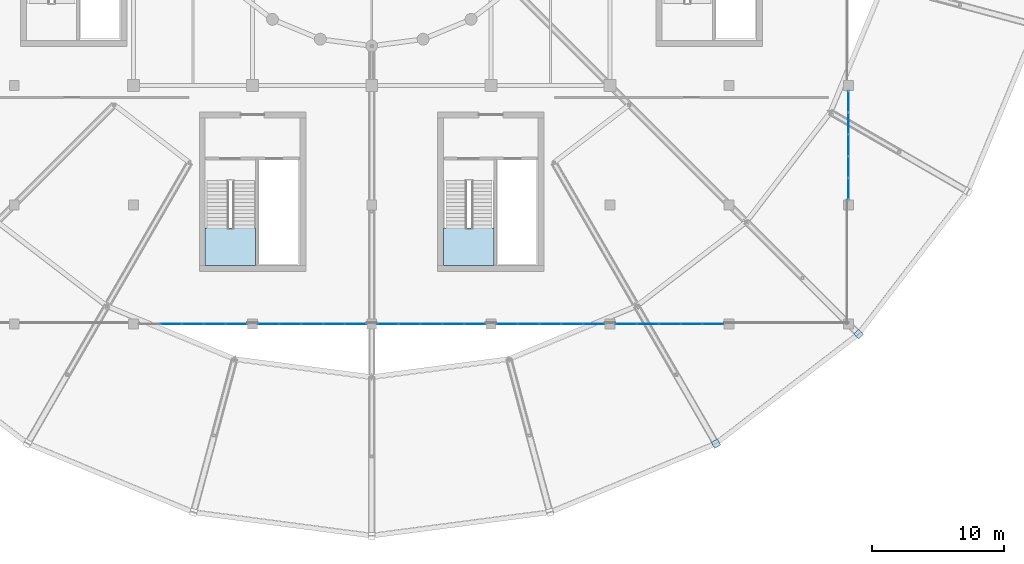
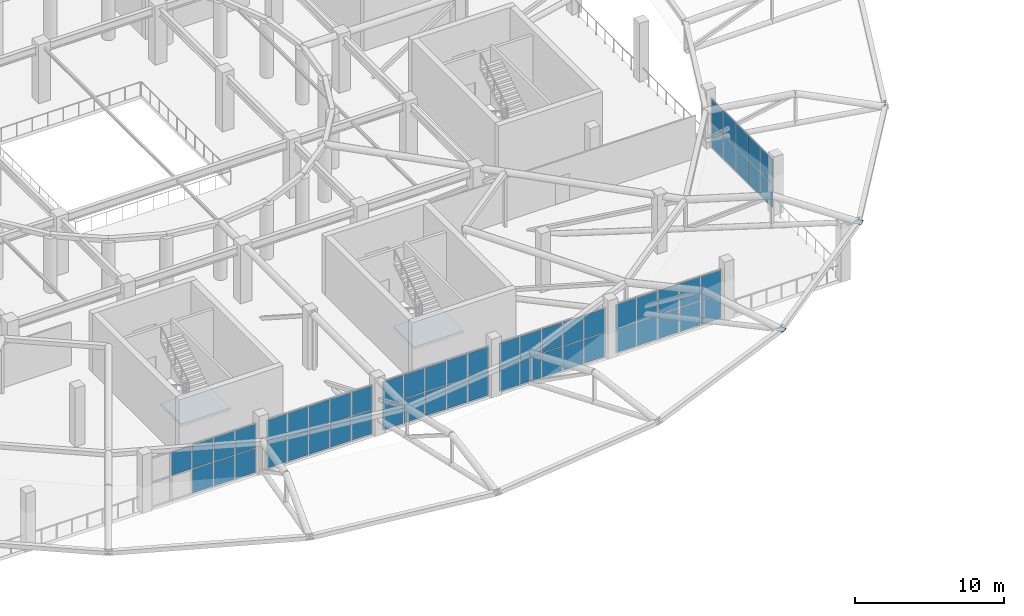
# One storey, part 119 of 167: 59 plates, 2 slabs, 8 elements without a shape of their own.
"""IFC4 building model written with IfcOpenShell, lengths in metres."""

import ifcopenshell
import ifcopenshell.guid

model = None  # the IFC model being written
_history = None  # IfcOwnerHistory: only IFC2X3 demands one
_inside = {}  # id of a spatial element -> (the spatial element, [elements in it])
_under = {}  # id of a project, library or spatial element -> (it, [spatial elements below it])
_declared = {}  # id of a project -> (the project, [libraries it declares])
_typed = {}  # id of a type object -> (the type object, [elements of that type])
_made_of = {}  # id of a material, layer set ... -> (it, [elements and type objects made of it])


def new_model(schema):
    """Start an empty IFC model of exactly this schema.

    Asked for "IFC4X3", IfcOpenShell would pick the latest addendum, in which some entities
    have other attributes; the version numbers below select the first issue.
    IFC2X3 requires an IfcOwnerHistory on every rooted entity: one is made here for all.
    """
    global model, _history
    if schema == "IFC4X3":
        model = ifcopenshell.file(schema_version=(4, 3, 0, 0))
    else:
        model = ifcopenshell.file(schema=schema)
    _inside.clear()
    _under.clear()
    _declared.clear()
    _typed.clear()
    _made_of.clear()
    _history = None
    if model.schema == "IFC2X3":
        org = make("IfcOrganization", Name="unknown")
        user = make(
            "IfcPersonAndOrganization",
            ThePerson=make("IfcPerson", FamilyName="unknown"),
            TheOrganization=org,
        )
        app = make(
            "IfcApplication",
            ApplicationDeveloper=org,
            Version="unknown",
            ApplicationFullName="unknown",
            ApplicationIdentifier="unknown",
        )
        _history = make(
            "IfcOwnerHistory",
            OwningUser=user,
            OwningApplication=app,
            ChangeAction="ADDED",
            CreationDate=0,
        )
    return model


def make(cls, **values):
    """One entity of the class cls with the attributes given. An attribute that is None is left unset."""
    return model.create_entity(
        cls, **{name: value for name, value in values.items() if value is not None}
    )


def rooted(cls, **values):
    """An entity with a GlobalId (a new one), such as an element, a storey or a relation."""
    return make(cls, GlobalId=ifcopenshell.guid.new(), OwnerHistory=_history, **values)


def si_unit(unit_type, name, prefix=None):
    """IfcSIUnit, for example si_unit("LENGTHUNIT", "METRE", prefix="MILLI")."""
    return make("IfcSIUnit", UnitType=unit_type, Prefix=prefix, Name=name)


def assignment(units):
    """IfcUnitAssignment: the units of a project."""
    return None if units is None else make("IfcUnitAssignment", Units=units)


def point(xyz):
    """IfcCartesianPoint."""
    return None if xyz is None else make("IfcCartesianPoint", Coordinates=xyz)


def direction(xyz):
    """IfcDirection."""
    return None if xyz is None else make("IfcDirection", DirectionRatios=xyz)


def frame(location, z_axis=None, x_axis=None):
    """IfcAxis2Placement3D, a coordinate frame: its origin and axes. An axis left out is left unset."""
    return make(
        "IfcAxis2Placement3D",
        Location=point(location),
        Axis=direction(z_axis),
        RefDirection=direction(x_axis),
    )


def frame_2d(location, x_axis=None):
    """IfcAxis2Placement2D, a coordinate frame in the plane: its origin and x axis."""
    return make(
        "IfcAxis2Placement2D", Location=point(location), RefDirection=direction(x_axis)
    )


def origin():
    """The frame at (0, 0, 0) with its axes left unset."""
    return frame((0.0, 0.0, 0.0))


def origin_2d():
    """The frame at (0, 0) in the plane with its x axis left unset."""
    return frame_2d((0.0, 0.0))


def place(relative_to, where):
    """IfcLocalPlacement: puts the frame where relative to a parent placement (None: the world)."""
    return make(
        "IfcLocalPlacement", PlacementRelTo=relative_to, RelativePlacement=where
    )


def context(
    kind, dimensions, precision=None, world=None, true_north=None, identifier=None
):
    """IfcGeometricRepresentationContext, for example the 3D "Model" context."""
    return make(
        "IfcGeometricRepresentationContext",
        ContextIdentifier=identifier,
        ContextType=kind,
        CoordinateSpaceDimension=dimensions,
        Precision=precision,
        WorldCoordinateSystem=world,
        TrueNorth=true_north,
    )


def subcontext(parent, identifier, kind, view, scale=None):
    """IfcGeometricRepresentationSubContext, for example "Body" below "Model"."""
    return make(
        "IfcGeometricRepresentationSubContext",
        ContextIdentifier=identifier,
        ContextType=kind,
        ParentContext=parent,
        TargetScale=scale,
        TargetView=view,
    )


def project(units=None, contexts=None):
    """IfcProject with its units and contexts."""
    return rooted(
        "IfcProject",
        Name="project",
        RepresentationContexts=contexts,
        UnitsInContext=assignment(units),
    )


def spatial(cls, under=None, at=None, **own):
    """A site, building, storey or space (cls), placed at a placement, below another one or the project."""
    s = rooted(cls, ObjectPlacement=at, **own)
    if under is not None:
        _under.setdefault(under.id(), (under, []))[1].append(s)
    return s


def polyline(points):
    """IfcPolyline through the points."""
    return make("IfcPolyline", Points=[point(p) for p in points])


def profile(cls, at=None, kind="AREA", **sizes):
    """A parametric profile (cls). Its sizes go by their IFC names, for example OverallWidth=200.0."""
    return make(cls, ProfileType=kind, Position=at, **sizes)


def rectangle(**sizes):
    """IfcRectangleProfileDef."""
    return profile("IfcRectangleProfileDef", **sizes)


def outline(outer, holes=None, kind="AREA"):
    """IfcArbitraryClosedProfileDef: a profile drawn as a closed curve; with holes, ...WithVoids."""
    if holes is None:
        return make("IfcArbitraryClosedProfileDef", ProfileType=kind, OuterCurve=outer)
    return make(
        "IfcArbitraryProfileDefWithVoids",
        ProfileType=kind,
        OuterCurve=outer,
        InnerCurves=holes,
    )


def extrude(swept, where, along, depth):
    """IfcExtrudedAreaSolid: the profile swept, set in the frame where, extruded along a direction by depth."""
    return make(
        "IfcExtrudedAreaSolid",
        SweptArea=swept,
        Position=where,
        ExtrudedDirection=direction(along),
        Depth=depth,
    )


def shape(context_of_items, identifier, shape_type, items):
    """IfcShapeRepresentation: the items that make up one representation, for example the "Body"."""
    return make(
        "IfcShapeRepresentation",
        ContextOfItems=context_of_items,
        RepresentationIdentifier=identifier,
        RepresentationType=shape_type,
        Items=items,
    )


def material(Name=None, Category=None):
    """IfcMaterial."""
    return make("IfcMaterial", Name=Name, Category=Category)


def layer(
    of_material, thickness, ventilated=None, Name=None, Category=None, Priority=None
):
    """IfcMaterialLayer: one layer of a wall or slab, of a material (None: an air gap)."""
    return make(
        "IfcMaterialLayer",
        Material=of_material,
        LayerThickness=thickness,
        IsVentilated=ventilated,
        Name=Name,
        Category=Category,
        Priority=Priority,
    )


def layer_set(layers, Name=None):
    """IfcMaterialLayerSet."""
    return make("IfcMaterialLayerSet", MaterialLayers=layers, LayerSetName=Name)


def made_of(thing, what):
    """Note that an element or type object is made of a material, layer set ...; save() writes the relation."""
    if what is not None:
        _made_of.setdefault(what.id(), (what, []))[1].append(thing)
    return thing


def type_object(cls, material=None, **own):
    """A type object (cls), such as IfcWallType, which elements share."""
    return made_of(rooted(cls, **own), material)


def element(
    cls,
    number,
    at=None,
    inside=None,
    cuts=None,
    type_object=None,
    material=None,
    context=None,
    identifier="Body",
    shape_type=None,
    held_by="IfcProductDefinitionShape",
    body=None,
    shapes=None,
    **own,
):
    """One element of the class cls, such as IfcWall. Its Tag is "e" and its number.

    at: its placement. inside: the storey or other place that contains it. cuts: it is an
    opening in that element (IfcRelVoidsElement). A single representation is given by context,
    identifier, shape_type and body (its items); several are given by shapes. held_by: the class
    of the entity that holds the representations. save() writes the other relations.
    """
    e = rooted(cls, Tag="e%d" % number, ObjectPlacement=at, **own)
    if body is not None:
        shapes = [shape(context, identifier, shape_type, body)]
    if shapes is not None:
        e.Representation = make(held_by, Representations=shapes)
    if inside is not None:
        _inside.setdefault(inside.id(), (inside, []))[1].append(e)
    if cuts is not None:
        rooted(
            "IfcRelVoidsElement", RelatingBuildingElement=cuts, RelatedOpeningElement=e
        )
    if type_object is not None:
        _typed.setdefault(type_object.id(), (type_object, []))[1].append(e)
    return made_of(e, material)


def aggregate(whole, parts):
    """IfcRelAggregates: a whole, such as a stair, and the parts it consists of."""
    return rooted("IfcRelAggregates", RelatingObject=whole, RelatedObjects=parts)


def save(model, path):
    """Write the relations noted so far, then the file.

    IfcRelAggregates (storeys below a building ...), IfcRelContainedInSpatialStructure (elements
    in a storey), IfcRelDefinesByType, IfcRelAssociatesMaterial and IfcRelDeclares: one each for
    every whole, place, type object, material and project.
    """
    for whole, parts in _under.values():
        aggregate(whole, parts)
    for where, things in _inside.values():
        rooted(
            "IfcRelContainedInSpatialStructure",
            RelatedElements=things,
            RelatingStructure=where,
        )
    for kind, things in _typed.values():
        rooted("IfcRelDefinesByType", RelatedObjects=things, RelatingType=kind)
    for what, things in _made_of.values():
        rooted("IfcRelAssociatesMaterial", RelatedObjects=things, RelatingMaterial=what)
    for by, libraries in _declared.values():
        rooted("IfcRelDeclares", RelatingContext=by, RelatedDefinitions=libraries)
    model.write(path)


model = new_model("IFC4")

# Units and contexts
model_context = context("Model", 3, precision=1e-05, world=origin(), true_north=direction((0.0, 1.0)))
body_context = subcontext(model_context, "Body", "Model", "MODEL_VIEW")
ifc_project = project(units=[si_unit("LENGTHUNIT", "METRE"), si_unit("AREAUNIT", "SQUARE_METRE"), si_unit("VOLUMEUNIT", "CUBIC_METRE"), si_unit("PLANEANGLEUNIT", "RADIAN"), si_unit("MASSUNIT", "GRAM", prefix="KILO")], contexts=[model_context])

# Site, building, storey
site_placement = place(None, origin())
site = spatial("IfcSite", under=ifc_project, at=site_placement, CompositionType="ELEMENT")
building_placement = place(site_placement, origin())
building = spatial("IfcBuilding", under=site, at=building_placement, Name="Dornveld Trade and Exhibition Forum", CompositionType="ELEMENT")
storey_placement = place(building_placement, frame((0.0, 0.0, 16.800048828125)))
storey = spatial("IfcBuildingStorey", under=building, at=storey_placement, Name="L03", CompositionType="ELEMENT", Elevation=16.800048828125)

# Curtain wall, plates
ifc_material_1 = material(Name="Dark-bronze anodised aluminium and low-E glass", Category="aluminium")
ifc_layer_1 = layer(ifc_material_1, 0.15087890625)
ifc_layer_set_1 = layer_set([ifc_layer_1], Name="Dark-bronze anodised aluminium and low-E glass")
curtain_wall_type_1 = type_object("IfcCurtainWallType", Name="CW-SYS-03", PredefinedType="USERDEFINED", material=ifc_layer_set_1)
curtain_wall_1_placement = place(storey_placement, origin())
curtain_wall_1 = element("IfcCurtainWall", 1, at=curtain_wall_1_placement, inside=storey, type_object=curtain_wall_type_1, Name="L03 unitised curtain wall 57", ObjectType="UNITISED_CURTAIN_WALL", PredefinedType="USERDEFINED")
ifc_material_2 = material(Name="Double-glazed low-E solar control glass", Category="glass")
ifc_layer_2 = layer(ifc_material_2, 0.02587890625)
ifc_layer_set_2 = layer_set([ifc_layer_2], Name="Double-glazed low-E solar control glass")
plate_type_1 = type_object("IfcPlateType", Name="CW-PNL-01", PredefinedType="CURTAIN_PANEL", material=ifc_layer_set_2)
plate_1_placement = place(storey_placement, frame((136.2119140625, 45.0, 0.055908203125), z_axis=(0.0, 0.0, 1.0), x_axis=(1.0, 0.0, 0.0)))
plate_1 = element("IfcPlate", 2, at=plate_1_placement, type_object=plate_type_1, Name="CW-03 panel 1.1", PredefinedType="CURTAIN_PANEL", context=body_context, shape_type="SweptSolid", body=[
    extrude(rectangle(XDim=1.5615234375, YDim=0.02587890625, at=origin_2d()), origin(), (0.0, 0.0, 1.0), 1.94189453125),
])
plate_2_placement = place(storey_placement, frame((136.2119140625, 45.0, 2.05810546875), z_axis=(0.0, 0.0, 1.0), x_axis=(1.0, 0.0, 0.0)))
plate_2 = element("IfcPlate", 3, at=plate_2_placement, type_object=plate_type_1, Name="CW-03 panel 1.2", PredefinedType="CURTAIN_PANEL", context=body_context, shape_type="SweptSolid", body=[
    extrude(rectangle(XDim=1.5615234375, YDim=0.02587890625, at=origin_2d()), origin(), (0.0, 0.0, 1.0), 1.94189453125),
])
plate_3_placement = place(storey_placement, frame((137.848388671875, 45.0, 0.055908203125), z_axis=(0.0, 0.0, 1.0), x_axis=(1.0, 0.0, 0.0)))
plate_3 = element("IfcPlate", 4, at=plate_3_placement, type_object=plate_type_1, Name="CW-03 panel 2.1", PredefinedType="CURTAIN_PANEL", context=body_context, shape_type="SweptSolid", body=[
    extrude(rectangle(XDim=1.591552734375, YDim=0.02587890625, at=origin_2d()), origin(), (0.0, 0.0, 1.0), 1.94189453125),
])
plate_4_placement = place(storey_placement, frame((137.848388671875, 45.0, 2.05810546875), z_axis=(0.0, 0.0, 1.0), x_axis=(1.0, 0.0, 0.0)))
plate_4 = element("IfcPlate", 5, at=plate_4_placement, type_object=plate_type_1, Name="CW-03 panel 2.2", PredefinedType="CURTAIN_PANEL", context=body_context, shape_type="SweptSolid", body=[
    extrude(rectangle(XDim=1.591552734375, YDim=0.02587890625, at=origin_2d()), origin(), (0.0, 0.0, 1.0), 1.94189453125),
])
plate_5_placement = place(storey_placement, frame((139.5, 45.0, 0.055908203125), z_axis=(0.0, 0.0, 1.0), x_axis=(1.0, 0.0, 0.0)))
plate_5 = element("IfcPlate", 6, at=plate_5_placement, type_object=plate_type_1, Name="CW-03 panel 3.1", PredefinedType="CURTAIN_PANEL", context=body_context, shape_type="SweptSolid", body=[
    extrude(rectangle(XDim=1.591552734375, YDim=0.02587890625, at=origin_2d()), origin(), (0.0, 0.0, 1.0), 1.94189453125),
])
plate_6_placement = place(storey_placement, frame((139.5, 45.0, 2.05810546875), z_axis=(0.0, 0.0, 1.0), x_axis=(1.0, 0.0, 0.0)))
plate_6 = element("IfcPlate", 7, at=plate_6_placement, type_object=plate_type_1, Name="CW-03 panel 3.2", PredefinedType="CURTAIN_PANEL", context=body_context, shape_type="SweptSolid", body=[
    extrude(rectangle(XDim=1.591552734375, YDim=0.02587890625, at=origin_2d()), origin(), (0.0, 0.0, 1.0), 1.94189453125),
])
plate_7_placement = place(storey_placement, frame((141.151611328125, 45.0, 0.055908203125), z_axis=(0.0, 0.0, 1.0), x_axis=(1.0, 0.0, 0.0)))
plate_7 = element("IfcPlate", 8, at=plate_7_placement, type_object=plate_type_1, Name="CW-03 panel 4.1", PredefinedType="CURTAIN_PANEL", context=body_context, shape_type="SweptSolid", body=[
    extrude(rectangle(XDim=1.591552734375, YDim=0.02587890625, at=origin_2d()), origin(), (0.0, 0.0, 1.0), 1.94189453125),
])
plate_8_placement = place(storey_placement, frame((141.151611328125, 45.0, 2.05810546875), z_axis=(0.0, 0.0, 1.0), x_axis=(1.0, 0.0, 0.0)))
plate_8 = element("IfcPlate", 9, at=plate_8_placement, type_object=plate_type_1, Name="CW-03 panel 4.2", PredefinedType="CURTAIN_PANEL", context=body_context, shape_type="SweptSolid", body=[
    extrude(rectangle(XDim=1.591552734375, YDim=0.02587890625, at=origin_2d()), origin(), (0.0, 0.0, 1.0), 1.94189453125),
])
plate_9_placement = place(storey_placement, frame((142.7880859375, 45.0, 0.055908203125), z_axis=(0.0, 0.0, 1.0), x_axis=(1.0, 0.0, 0.0)))
plate_9 = element("IfcPlate", 10, at=plate_9_placement, type_object=plate_type_1, Name="CW-03 panel 5.1", PredefinedType="CURTAIN_PANEL", context=body_context, shape_type="SweptSolid", body=[
    extrude(rectangle(XDim=1.5615234375, YDim=0.02587890625, at=origin_2d()), origin(), (0.0, 0.0, 1.0), 1.94189453125),
])
plate_10_placement = place(storey_placement, frame((142.7880859375, 45.0, 2.05810546875), z_axis=(0.0, 0.0, 1.0), x_axis=(1.0, 0.0, 0.0)))
plate_10 = element("IfcPlate", 11, at=plate_10_placement, type_object=plate_type_1, Name="CW-03 panel 5.2", PredefinedType="CURTAIN_PANEL", context=body_context, shape_type="SweptSolid", body=[
    extrude(rectangle(XDim=1.5615234375, YDim=0.02587890625, at=origin_2d()), origin(), (0.0, 0.0, 1.0), 1.94189453125),
])
aggregate(curtain_wall_1, [plate_1, plate_2, plate_3, plate_4, plate_5, plate_6, plate_7, plate_8, plate_9, plate_10])

ifc_material_3 = material(Name="Dark-bronze anodised aluminium and low-E glass", Category="aluminium")
ifc_layer_3 = layer(ifc_material_3, 0.193115234375)
ifc_layer_set_3 = layer_set([ifc_layer_3], Name="Dark-bronze anodised aluminium and low-E glass")
curtain_wall_type_2 = type_object("IfcCurtainWallType", Name="CW-SYS-17", PredefinedType="USERDEFINED", material=ifc_layer_set_3)
curtain_wall_2_placement = place(storey_placement, origin())
curtain_wall_2 = element("IfcCurtainWall", 12, at=curtain_wall_2_placement, inside=storey, type_object=curtain_wall_type_2, Name="L03 unitised curtain wall 53", ObjectType="UNITISED_CURTAIN_WALL", PredefinedType="USERDEFINED")
ifc_material_4 = material(Name="Double-glazed low-E solar control glass", Category="glass")
ifc_layer_4 = layer(ifc_material_4, 0.033935546875)
ifc_layer_set_4 = layer_set([ifc_layer_4], Name="Double-glazed low-E solar control glass")
plate_type_2 = type_object("IfcPlateType", Name="CW-PNL-05", PredefinedType="CURTAIN_PANEL", material=ifc_layer_set_4)
plate_11_placement = place(storey_placement, frame((101.848388671875, 45.0, 2.05810546875), z_axis=(0.0, 0.0, 1.0), x_axis=(1.0, 0.0, 0.0)))
plate_11 = element("IfcPlate", 13, at=plate_11_placement, type_object=plate_type_2, Name="CW-17 panel 2.2", PredefinedType="CURTAIN_PANEL", context=body_context, shape_type="SweptSolid", body=[
    extrude(rectangle(XDim=1.591552734375, YDim=0.033935546875, at=origin_2d()), origin(), (0.0, 0.0, 1.0), 1.94189453125),
])
plate_12_placement = place(storey_placement, frame((103.5, 45.0, 0.055908203125), z_axis=(0.0, 0.0, 1.0), x_axis=(1.0, 0.0, 0.0)))
plate_12 = element("IfcPlate", 14, at=plate_12_placement, type_object=plate_type_2, Name="CW-17 panel 3.1", PredefinedType="CURTAIN_PANEL", context=body_context, shape_type="SweptSolid", body=[
    extrude(rectangle(XDim=1.591552734375, YDim=0.033935546875, at=origin_2d()), origin(), (0.0, 0.0, 1.0), 1.94189453125),
])
plate_13_placement = place(storey_placement, frame((103.5, 45.0, 2.05810546875), z_axis=(0.0, 0.0, 1.0), x_axis=(1.0, 0.0, 0.0)))
plate_13 = element("IfcPlate", 15, at=plate_13_placement, type_object=plate_type_2, Name="CW-17 panel 3.2", PredefinedType="CURTAIN_PANEL", context=body_context, shape_type="SweptSolid", body=[
    extrude(rectangle(XDim=1.591552734375, YDim=0.033935546875, at=origin_2d()), origin(), (0.0, 0.0, 1.0), 1.94189453125),
])
plate_14_placement = place(storey_placement, frame((105.151611328125, 45.0, 0.055908203125), z_axis=(0.0, 0.0, 1.0), x_axis=(1.0, 0.0, 0.0)))
plate_14 = element("IfcPlate", 16, at=plate_14_placement, type_object=plate_type_2, Name="CW-17 panel 4.1", PredefinedType="CURTAIN_PANEL", context=body_context, shape_type="SweptSolid", body=[
    extrude(rectangle(XDim=1.591552734375, YDim=0.033935546875, at=origin_2d()), origin(), (0.0, 0.0, 1.0), 1.94189453125),
])
plate_15_placement = place(storey_placement, frame((105.151611328125, 45.0, 2.05810546875), z_axis=(0.0, 0.0, 1.0), x_axis=(1.0, 0.0, 0.0)))
plate_15 = element("IfcPlate", 17, at=plate_15_placement, type_object=plate_type_2, Name="CW-17 panel 4.2", PredefinedType="CURTAIN_PANEL", context=body_context, shape_type="SweptSolid", body=[
    extrude(rectangle(XDim=1.591552734375, YDim=0.033935546875, at=origin_2d()), origin(), (0.0, 0.0, 1.0), 1.94189453125),
])
plate_16_placement = place(storey_placement, frame((106.7880859375, 45.0, 0.055908203125), z_axis=(0.0, 0.0, 1.0), x_axis=(1.0, 0.0, 0.0)))
plate_16 = element("IfcPlate", 18, at=plate_16_placement, type_object=plate_type_2, Name="CW-17 panel 5.1", PredefinedType="CURTAIN_PANEL", context=body_context, shape_type="SweptSolid", body=[
    extrude(rectangle(XDim=1.5615234375, YDim=0.033935546875, at=origin_2d()), origin(), (0.0, 0.0, 1.0), 1.94189453125),
])
plate_17_placement = place(storey_placement, frame((106.7880859375, 45.0, 2.05810546875), z_axis=(0.0, 0.0, 1.0), x_axis=(1.0, 0.0, 0.0)))
plate_17 = element("IfcPlate", 19, at=plate_17_placement, type_object=plate_type_2, Name="CW-17 panel 5.2", PredefinedType="CURTAIN_PANEL", context=body_context, shape_type="SweptSolid", body=[
    extrude(rectangle(XDim=1.5615234375, YDim=0.033935546875, at=origin_2d()), origin(), (0.0, 0.0, 1.0), 1.94189453125),
])
aggregate(curtain_wall_2, [plate_11, plate_12, plate_13, plate_14, plate_15, plate_16, plate_17])

ifc_material_5 = material(Name="Dark-bronze anodised aluminium and low-E glass", Category="aluminium")
ifc_layer_5 = layer(ifc_material_5, 0.196044921875)
ifc_layer_set_5 = layer_set([ifc_layer_5], Name="Dark-bronze anodised aluminium and low-E glass")
curtain_wall_type_3 = type_object("IfcCurtainWallType", Name="CW-SYS-18", PredefinedType="USERDEFINED", material=ifc_layer_set_5)
curtain_wall_3_placement = place(storey_placement, origin())
curtain_wall_3 = element("IfcCurtainWall", 20, at=curtain_wall_3_placement, inside=storey, type_object=curtain_wall_type_3, Name="L03 unitised curtain wall 54", ObjectType="UNITISED_CURTAIN_WALL", PredefinedType="USERDEFINED")
ifc_material_6 = material(Name="Double-glazed low-E solar control glass", Category="glass")
ifc_layer_6 = layer(ifc_material_6, 0.035888671875)
ifc_layer_set_6 = layer_set([ifc_layer_6], Name="Double-glazed low-E solar control glass")
plate_type_3 = type_object("IfcPlateType", Name="CW-PNL-06", PredefinedType="CURTAIN_PANEL", material=ifc_layer_set_6)
plate_18_placement = place(storey_placement, frame((109.2119140625, 45.0, 0.055908203125), z_axis=(0.0, 0.0, 1.0), x_axis=(1.0, 0.0, 0.0)))
plate_18 = element("IfcPlate", 21, at=plate_18_placement, type_object=plate_type_3, Name="CW-18 panel 1.1", PredefinedType="CURTAIN_PANEL", context=body_context, shape_type="SweptSolid", body=[
    extrude(rectangle(XDim=1.5615234375, YDim=0.035888671875, at=origin_2d()), origin(), (0.0, 0.0, 1.0), 1.94189453125),
])
plate_19_placement = place(storey_placement, frame((109.2119140625, 45.0, 2.05810546875), z_axis=(0.0, 0.0, 1.0), x_axis=(1.0, 0.0, 0.0)))
plate_19 = element("IfcPlate", 22, at=plate_19_placement, type_object=plate_type_3, Name="CW-18 panel 1.2", PredefinedType="CURTAIN_PANEL", context=body_context, shape_type="SweptSolid", body=[
    extrude(rectangle(XDim=1.5615234375, YDim=0.035888671875, at=origin_2d()), origin(), (0.0, 0.0, 1.0), 1.94189453125),
])
plate_20_placement = place(storey_placement, frame((110.848388671875, 45.0, 0.055908203125), z_axis=(0.0, 0.0, 1.0), x_axis=(1.0, 0.0, 0.0)))
plate_20 = element("IfcPlate", 23, at=plate_20_placement, type_object=plate_type_3, Name="CW-18 panel 2.1", PredefinedType="CURTAIN_PANEL", context=body_context, shape_type="SweptSolid", body=[
    extrude(rectangle(XDim=1.591552734375, YDim=0.035888671875, at=origin_2d()), origin(), (0.0, 0.0, 1.0), 1.94189453125),
])
plate_21_placement = place(storey_placement, frame((110.848388671875, 45.0, 2.05810546875), z_axis=(0.0, 0.0, 1.0), x_axis=(1.0, 0.0, 0.0)))
plate_21 = element("IfcPlate", 24, at=plate_21_placement, type_object=plate_type_3, Name="CW-18 panel 2.2", PredefinedType="CURTAIN_PANEL", context=body_context, shape_type="SweptSolid", body=[
    extrude(rectangle(XDim=1.591552734375, YDim=0.035888671875, at=origin_2d()), origin(), (0.0, 0.0, 1.0), 1.94189453125),
])
plate_22_placement = place(storey_placement, frame((112.5, 45.0, 0.055908203125), z_axis=(0.0, 0.0, 1.0), x_axis=(1.0, 0.0, 0.0)))
plate_22 = element("IfcPlate", 25, at=plate_22_placement, type_object=plate_type_3, Name="CW-18 panel 3.1", PredefinedType="CURTAIN_PANEL", context=body_context, shape_type="SweptSolid", body=[
    extrude(rectangle(XDim=1.591552734375, YDim=0.035888671875, at=origin_2d()), origin(), (0.0, 0.0, 1.0), 1.94189453125),
])
plate_23_placement = place(storey_placement, frame((112.5, 45.0, 2.05810546875), z_axis=(0.0, 0.0, 1.0), x_axis=(1.0, 0.0, 0.0)))
plate_23 = element("IfcPlate", 26, at=plate_23_placement, type_object=plate_type_3, Name="CW-18 panel 3.2", PredefinedType="CURTAIN_PANEL", context=body_context, shape_type="SweptSolid", body=[
    extrude(rectangle(XDim=1.591552734375, YDim=0.035888671875, at=origin_2d()), origin(), (0.0, 0.0, 1.0), 1.94189453125),
])
plate_24_placement = place(storey_placement, frame((114.151611328125, 45.0, 0.055908203125), z_axis=(0.0, 0.0, 1.0), x_axis=(1.0, 0.0, 0.0)))
plate_24 = element("IfcPlate", 27, at=plate_24_placement, type_object=plate_type_3, Name="CW-18 panel 4.1", PredefinedType="CURTAIN_PANEL", context=body_context, shape_type="SweptSolid", body=[
    extrude(rectangle(XDim=1.591552734375, YDim=0.035888671875, at=origin_2d()), origin(), (0.0, 0.0, 1.0), 1.94189453125),
])
plate_25_placement = place(storey_placement, frame((114.151611328125, 45.0, 2.05810546875), z_axis=(0.0, 0.0, 1.0), x_axis=(1.0, 0.0, 0.0)))
plate_25 = element("IfcPlate", 28, at=plate_25_placement, type_object=plate_type_3, Name="CW-18 panel 4.2", PredefinedType="CURTAIN_PANEL", context=body_context, shape_type="SweptSolid", body=[
    extrude(rectangle(XDim=1.591552734375, YDim=0.035888671875, at=origin_2d()), origin(), (0.0, 0.0, 1.0), 1.94189453125),
])
plate_26_placement = place(storey_placement, frame((115.7880859375, 45.0, 0.055908203125), z_axis=(0.0, 0.0, 1.0), x_axis=(1.0, 0.0, 0.0)))
plate_26 = element("IfcPlate", 29, at=plate_26_placement, type_object=plate_type_3, Name="CW-18 panel 5.1", PredefinedType="CURTAIN_PANEL", context=body_context, shape_type="SweptSolid", body=[
    extrude(rectangle(XDim=1.5615234375, YDim=0.035888671875, at=origin_2d()), origin(), (0.0, 0.0, 1.0), 1.94189453125),
])
plate_27_placement = place(storey_placement, frame((115.7880859375, 45.0, 2.05810546875), z_axis=(0.0, 0.0, 1.0), x_axis=(1.0, 0.0, 0.0)))
plate_27 = element("IfcPlate", 30, at=plate_27_placement, type_object=plate_type_3, Name="CW-18 panel 5.2", PredefinedType="CURTAIN_PANEL", context=body_context, shape_type="SweptSolid", body=[
    extrude(rectangle(XDim=1.5615234375, YDim=0.035888671875, at=origin_2d()), origin(), (0.0, 0.0, 1.0), 1.94189453125),
])
aggregate(curtain_wall_3, [plate_18, plate_19, plate_20, plate_21, plate_22, plate_23, plate_24, plate_25, plate_26, plate_27])

ifc_material_7 = material(Name="Dark-bronze anodised aluminium and low-E glass", Category="aluminium")
ifc_layer_7 = layer(ifc_material_7, 0.14501953125)
ifc_layer_set_7 = layer_set([ifc_layer_7], Name="Dark-bronze anodised aluminium and low-E glass")
curtain_wall_type_4 = type_object("IfcCurtainWallType", Name="CW-SYS-01", PredefinedType="USERDEFINED", material=ifc_layer_set_7)
curtain_wall_4_placement = place(storey_placement, origin())
curtain_wall_4 = element("IfcCurtainWall", 31, at=curtain_wall_4_placement, inside=storey, type_object=curtain_wall_type_4, Name="L03 unitised curtain wall 55", ObjectType="UNITISED_CURTAIN_WALL", PredefinedType="USERDEFINED")
ifc_material_8 = material(Name="Double-glazed low-E solar control glass", Category="glass")
ifc_layer_8 = layer(ifc_material_8, 0.0380859375)
ifc_layer_set_8 = layer_set([ifc_layer_8], Name="Double-glazed low-E solar control glass")
plate_type_4 = type_object("IfcPlateType", Name="CW-PNL-07", PredefinedType="CURTAIN_PANEL", material=ifc_layer_set_8)
plate_28_placement = place(storey_placement, frame((118.2119140625, 45.0, 0.055908203125), z_axis=(0.0, 0.0, 1.0), x_axis=(1.0, 0.0, 0.0)))
plate_28 = element("IfcPlate", 32, at=plate_28_placement, type_object=plate_type_4, Name="CW-01 panel 1.1", PredefinedType="CURTAIN_PANEL", context=body_context, shape_type="SweptSolid", body=[
    extrude(rectangle(XDim=1.5615234375, YDim=0.0380859375, at=origin_2d()), origin(), (0.0, 0.0, 1.0), 1.94189453125),
])
plate_29_placement = place(storey_placement, frame((118.2119140625, 45.0, 2.05810546875), z_axis=(0.0, 0.0, 1.0), x_axis=(1.0, 0.0, 0.0)))
plate_29 = element("IfcPlate", 33, at=plate_29_placement, type_object=plate_type_4, Name="CW-01 panel 1.2", PredefinedType="CURTAIN_PANEL", context=body_context, shape_type="SweptSolid", body=[
    extrude(rectangle(XDim=1.5615234375, YDim=0.0380859375, at=origin_2d()), origin(), (0.0, 0.0, 1.0), 1.94189453125),
])
plate_30_placement = place(storey_placement, frame((119.848388671875, 45.0, 0.055908203125), z_axis=(0.0, 0.0, 1.0), x_axis=(1.0, 0.0, 0.0)))
plate_30 = element("IfcPlate", 34, at=plate_30_placement, type_object=plate_type_4, Name="CW-01 panel 2.1", PredefinedType="CURTAIN_PANEL", context=body_context, shape_type="SweptSolid", body=[
    extrude(rectangle(XDim=1.591552734375, YDim=0.0380859375, at=origin_2d()), origin(), (0.0, 0.0, 1.0), 1.94189453125),
])
plate_31_placement = place(storey_placement, frame((119.848388671875, 45.0, 2.05810546875), z_axis=(0.0, 0.0, 1.0), x_axis=(1.0, 0.0, 0.0)))
plate_31 = element("IfcPlate", 35, at=plate_31_placement, type_object=plate_type_4, Name="CW-01 panel 2.2", PredefinedType="CURTAIN_PANEL", context=body_context, shape_type="SweptSolid", body=[
    extrude(rectangle(XDim=1.591552734375, YDim=0.0380859375, at=origin_2d()), origin(), (0.0, 0.0, 1.0), 1.94189453125),
])
plate_32_placement = place(storey_placement, frame((121.5, 45.0, 0.055908203125), z_axis=(0.0, 0.0, 1.0), x_axis=(1.0, 0.0, 0.0)))
plate_32 = element("IfcPlate", 36, at=plate_32_placement, type_object=plate_type_4, Name="CW-01 panel 3.1", PredefinedType="CURTAIN_PANEL", context=body_context, shape_type="SweptSolid", body=[
    extrude(rectangle(XDim=1.591552734375, YDim=0.0380859375, at=origin_2d()), origin(), (0.0, 0.0, 1.0), 1.94189453125),
])
plate_33_placement = place(storey_placement, frame((121.5, 45.0, 2.05810546875), z_axis=(0.0, 0.0, 1.0), x_axis=(1.0, 0.0, 0.0)))
plate_33 = element("IfcPlate", 37, at=plate_33_placement, type_object=plate_type_4, Name="CW-01 panel 3.2", PredefinedType="CURTAIN_PANEL", context=body_context, shape_type="SweptSolid", body=[
    extrude(rectangle(XDim=1.591552734375, YDim=0.0380859375, at=origin_2d()), origin(), (0.0, 0.0, 1.0), 1.94189453125),
])
plate_34_placement = place(storey_placement, frame((123.151611328125, 45.0, 0.055908203125), z_axis=(0.0, 0.0, 1.0), x_axis=(1.0, 0.0, 0.0)))
plate_34 = element("IfcPlate", 38, at=plate_34_placement, type_object=plate_type_4, Name="CW-01 panel 4.1", PredefinedType="CURTAIN_PANEL", context=body_context, shape_type="SweptSolid", body=[
    extrude(rectangle(XDim=1.591552734375, YDim=0.0380859375, at=origin_2d()), origin(), (0.0, 0.0, 1.0), 1.94189453125),
])
plate_35_placement = place(storey_placement, frame((123.151611328125, 45.0, 2.05810546875), z_axis=(0.0, 0.0, 1.0), x_axis=(1.0, 0.0, 0.0)))
plate_35 = element("IfcPlate", 39, at=plate_35_placement, type_object=plate_type_4, Name="CW-01 panel 4.2", PredefinedType="CURTAIN_PANEL", context=body_context, shape_type="SweptSolid", body=[
    extrude(rectangle(XDim=1.591552734375, YDim=0.0380859375, at=origin_2d()), origin(), (0.0, 0.0, 1.0), 1.94189453125),
])
plate_36_placement = place(storey_placement, frame((124.7880859375, 45.0, 0.055908203125), z_axis=(0.0, 0.0, 1.0), x_axis=(1.0, 0.0, 0.0)))
plate_36 = element("IfcPlate", 40, at=plate_36_placement, type_object=plate_type_4, Name="CW-01 panel 5.1", PredefinedType="CURTAIN_PANEL", context=body_context, shape_type="SweptSolid", body=[
    extrude(rectangle(XDim=1.5615234375, YDim=0.0380859375, at=origin_2d()), origin(), (0.0, 0.0, 1.0), 1.94189453125),
])
plate_37_placement = place(storey_placement, frame((124.7880859375, 45.0, 2.05810546875), z_axis=(0.0, 0.0, 1.0), x_axis=(1.0, 0.0, 0.0)))
plate_37 = element("IfcPlate", 41, at=plate_37_placement, type_object=plate_type_4, Name="CW-01 panel 5.2", PredefinedType="CURTAIN_PANEL", context=body_context, shape_type="SweptSolid", body=[
    extrude(rectangle(XDim=1.5615234375, YDim=0.0380859375, at=origin_2d()), origin(), (0.0, 0.0, 1.0), 1.94189453125),
])
aggregate(curtain_wall_4, [plate_28, plate_29, plate_30, plate_31, plate_32, plate_33, plate_34, plate_35, plate_36, plate_37])

ifc_material_9 = material(Name="Dark-bronze anodised aluminium and low-E glass", Category="aluminium")
ifc_layer_9 = layer(ifc_material_9, 0.14794921875)
ifc_layer_set_9 = layer_set([ifc_layer_9], Name="Dark-bronze anodised aluminium and low-E glass")
curtain_wall_type_5 = type_object("IfcCurtainWallType", Name="CW-SYS-02", PredefinedType="USERDEFINED", material=ifc_layer_set_9)
curtain_wall_5_placement = place(storey_placement, origin())
curtain_wall_5 = element("IfcCurtainWall", 42, at=curtain_wall_5_placement, inside=storey, type_object=curtain_wall_type_5, Name="L03 unitised curtain wall 56", ObjectType="UNITISED_CURTAIN_WALL", PredefinedType="USERDEFINED")
ifc_material_10 = material(Name="Double-glazed low-E solar control glass", Category="glass")
ifc_layer_10 = layer(ifc_material_10, 0.0400390625)
ifc_layer_set_10 = layer_set([ifc_layer_10], Name="Double-glazed low-E solar control glass")
plate_type_5 = type_object("IfcPlateType", Name="CW-PNL-08", PredefinedType="CURTAIN_PANEL", material=ifc_layer_set_10)
plate_38_placement = place(storey_placement, frame((127.2119140625, 45.0, 0.055908203125), z_axis=(0.0, 0.0, 1.0), x_axis=(1.0, 0.0, 0.0)))
plate_38 = element("IfcPlate", 43, at=plate_38_placement, type_object=plate_type_5, Name="CW-02 panel 1.1", PredefinedType="CURTAIN_PANEL", context=body_context, shape_type="SweptSolid", body=[
    extrude(rectangle(XDim=1.5615234375, YDim=0.0400390625, at=origin_2d()), origin(), (0.0, 0.0, 1.0), 1.94189453125),
])
plate_39_placement = place(storey_placement, frame((127.2119140625, 45.0, 2.05810546875), z_axis=(0.0, 0.0, 1.0), x_axis=(1.0, 0.0, 0.0)))
plate_39 = element("IfcPlate", 44, at=plate_39_placement, type_object=plate_type_5, Name="CW-02 panel 1.2", PredefinedType="CURTAIN_PANEL", context=body_context, shape_type="SweptSolid", body=[
    extrude(rectangle(XDim=1.5615234375, YDim=0.0400390625, at=origin_2d()), origin(), (0.0, 0.0, 1.0), 1.94189453125),
])
plate_40_placement = place(storey_placement, frame((128.848388671875, 45.0, 0.055908203125), z_axis=(0.0, 0.0, 1.0), x_axis=(1.0, 0.0, 0.0)))
plate_40 = element("IfcPlate", 45, at=plate_40_placement, type_object=plate_type_5, Name="CW-02 panel 2.1", PredefinedType="CURTAIN_PANEL", context=body_context, shape_type="SweptSolid", body=[
    extrude(rectangle(XDim=1.591552734375, YDim=0.0400390625, at=origin_2d()), origin(), (0.0, 0.0, 1.0), 1.94189453125),
])
plate_41_placement = place(storey_placement, frame((128.848388671875, 45.0, 2.05810546875), z_axis=(0.0, 0.0, 1.0), x_axis=(1.0, 0.0, 0.0)))
plate_41 = element("IfcPlate", 46, at=plate_41_placement, type_object=plate_type_5, Name="CW-02 panel 2.2", PredefinedType="CURTAIN_PANEL", context=body_context, shape_type="SweptSolid", body=[
    extrude(rectangle(XDim=1.591552734375, YDim=0.0400390625, at=origin_2d()), origin(), (0.0, 0.0, 1.0), 1.94189453125),
])
plate_42_placement = place(storey_placement, frame((130.5, 45.0, 0.055908203125), z_axis=(0.0, 0.0, 1.0), x_axis=(1.0, 0.0, 0.0)))
plate_42 = element("IfcPlate", 47, at=plate_42_placement, type_object=plate_type_5, Name="CW-02 panel 3.1", PredefinedType="CURTAIN_PANEL", context=body_context, shape_type="SweptSolid", body=[
    extrude(rectangle(XDim=1.591552734375, YDim=0.0400390625, at=origin_2d()), origin(), (0.0, 0.0, 1.0), 1.94189453125),
])
plate_43_placement = place(storey_placement, frame((130.5, 45.0, 2.05810546875), z_axis=(0.0, 0.0, 1.0), x_axis=(1.0, 0.0, 0.0)))
plate_43 = element("IfcPlate", 48, at=plate_43_placement, type_object=plate_type_5, Name="CW-02 panel 3.2", PredefinedType="CURTAIN_PANEL", context=body_context, shape_type="SweptSolid", body=[
    extrude(rectangle(XDim=1.591552734375, YDim=0.0400390625, at=origin_2d()), origin(), (0.0, 0.0, 1.0), 1.94189453125),
])
plate_44_placement = place(storey_placement, frame((132.151611328125, 45.0, 0.055908203125), z_axis=(0.0, 0.0, 1.0), x_axis=(1.0, 0.0, 0.0)))
plate_44 = element("IfcPlate", 49, at=plate_44_placement, type_object=plate_type_5, Name="CW-02 panel 4.1", PredefinedType="CURTAIN_PANEL", context=body_context, shape_type="SweptSolid", body=[
    extrude(rectangle(XDim=1.591552734375, YDim=0.0400390625, at=origin_2d()), origin(), (0.0, 0.0, 1.0), 1.94189453125),
])
plate_45_placement = place(storey_placement, frame((132.151611328125, 45.0, 2.05810546875), z_axis=(0.0, 0.0, 1.0), x_axis=(1.0, 0.0, 0.0)))
plate_45 = element("IfcPlate", 50, at=plate_45_placement, type_object=plate_type_5, Name="CW-02 panel 4.2", PredefinedType="CURTAIN_PANEL", context=body_context, shape_type="SweptSolid", body=[
    extrude(rectangle(XDim=1.591552734375, YDim=0.0400390625, at=origin_2d()), origin(), (0.0, 0.0, 1.0), 1.94189453125),
])
plate_46_placement = place(storey_placement, frame((133.7880859375, 45.0, 0.055908203125), z_axis=(0.0, 0.0, 1.0), x_axis=(1.0, 0.0, 0.0)))
plate_46 = element("IfcPlate", 51, at=plate_46_placement, type_object=plate_type_5, Name="CW-02 panel 5.1", PredefinedType="CURTAIN_PANEL", context=body_context, shape_type="SweptSolid", body=[
    extrude(rectangle(XDim=1.5615234375, YDim=0.0400390625, at=origin_2d()), origin(), (0.0, 0.0, 1.0), 1.94189453125),
])
plate_47_placement = place(storey_placement, frame((133.7880859375, 45.0, 2.05810546875), z_axis=(0.0, 0.0, 1.0), x_axis=(1.0, 0.0, 0.0)))
plate_47 = element("IfcPlate", 52, at=plate_47_placement, type_object=plate_type_5, Name="CW-02 panel 5.2", PredefinedType="CURTAIN_PANEL", context=body_context, shape_type="SweptSolid", body=[
    extrude(rectangle(XDim=1.5615234375, YDim=0.0400390625, at=origin_2d()), origin(), (0.0, 0.0, 1.0), 1.94189453125),
])
aggregate(curtain_wall_5, [plate_38, plate_39, plate_40, plate_41, plate_42, plate_43, plate_44, plate_45, plate_46, plate_47])

ifc_material_11 = material(Name="Dark-bronze anodised aluminium and low-E glass", Category="aluminium")
ifc_layer_11 = layer(ifc_material_11, 0.172119140625)
ifc_layer_set_11 = layer_set([ifc_layer_11], Name="Dark-bronze anodised aluminium and low-E glass")
curtain_wall_type_6 = type_object("IfcCurtainWallType", Name="CW-SYS-10", PredefinedType="USERDEFINED", material=ifc_layer_set_11)
curtain_wall_6_placement = place(storey_placement, origin())
curtain_wall_6 = element("IfcCurtainWall", 53, at=curtain_wall_6_placement, inside=storey, type_object=curtain_wall_type_6, Name="L03 unitised curtain wall 64", ObjectType="UNITISED_CURTAIN_WALL", PredefinedType="USERDEFINED")
plate_48_placement = place(storey_placement, frame((153.0, 55.2119140625, 0.055908203125), z_axis=(0.0, 0.0, 1.0), x_axis=(0.0, 1.0, 0.0)))
plate_48 = element("IfcPlate", 54, at=plate_48_placement, type_object=plate_type_5, Name="CW-10 panel 1.1", PredefinedType="CURTAIN_PANEL", context=body_context, shape_type="SweptSolid", body=[
    extrude(rectangle(XDim=1.5615234375, YDim=0.0400390625, at=origin_2d()), origin(), (0.0, 0.0, 1.0), 1.94189453125),
])
plate_49_placement = place(storey_placement, frame((153.0, 55.2119140625, 2.05810546875), z_axis=(0.0, 0.0, 1.0), x_axis=(0.0, 1.0, 0.0)))
plate_49 = element("IfcPlate", 55, at=plate_49_placement, type_object=plate_type_5, Name="CW-10 panel 1.2", PredefinedType="CURTAIN_PANEL", context=body_context, shape_type="SweptSolid", body=[
    extrude(rectangle(XDim=1.5615234375, YDim=0.0400390625, at=origin_2d()), origin(), (0.0, 0.0, 1.0), 1.94189453125),
])
plate_50_placement = place(storey_placement, frame((153.0, 56.848388671875, 0.055908203125), z_axis=(0.0, 0.0, 1.0), x_axis=(0.0, 1.0, 0.0)))
plate_50 = element("IfcPlate", 56, at=plate_50_placement, type_object=plate_type_5, Name="CW-10 panel 2.1", PredefinedType="CURTAIN_PANEL", context=body_context, shape_type="SweptSolid", body=[
    extrude(rectangle(XDim=1.591552734375, YDim=0.0400390625, at=origin_2d()), origin(), (0.0, 0.0, 1.0), 1.94189453125),
])
plate_51_placement = place(storey_placement, frame((153.0, 56.848388671875, 2.05810546875), z_axis=(0.0, 0.0, 1.0), x_axis=(0.0, 1.0, 0.0)))
plate_51 = element("IfcPlate", 57, at=plate_51_placement, type_object=plate_type_5, Name="CW-10 panel 2.2", PredefinedType="CURTAIN_PANEL", context=body_context, shape_type="SweptSolid", body=[
    extrude(rectangle(XDim=1.591552734375, YDim=0.0400390625, at=origin_2d()), origin(), (0.0, 0.0, 1.0), 1.94189453125),
])
plate_52_placement = place(storey_placement, frame((153.0, 58.5, 0.055908203125), z_axis=(0.0, 0.0, 1.0), x_axis=(0.0, 1.0, 0.0)))
plate_52 = element("IfcPlate", 58, at=plate_52_placement, type_object=plate_type_5, Name="CW-10 panel 3.1", PredefinedType="CURTAIN_PANEL", context=body_context, shape_type="SweptSolid", body=[
    extrude(rectangle(XDim=1.591552734375, YDim=0.0400390625, at=origin_2d()), origin(), (0.0, 0.0, 1.0), 1.94189453125),
])
plate_53_placement = place(storey_placement, frame((153.0, 58.5, 2.05810546875), z_axis=(0.0, 0.0, 1.0), x_axis=(0.0, 1.0, 0.0)))
plate_53 = element("IfcPlate", 59, at=plate_53_placement, type_object=plate_type_5, Name="CW-10 panel 3.2", PredefinedType="CURTAIN_PANEL", context=body_context, shape_type="SweptSolid", body=[
    extrude(rectangle(XDim=1.591552734375, YDim=0.0400390625, at=origin_2d()), origin(), (0.0, 0.0, 1.0), 1.94189453125),
])
plate_54_placement = place(storey_placement, frame((153.0, 60.151611328125, 0.055908203125), z_axis=(0.0, 0.0, 1.0), x_axis=(0.0, 1.0, 0.0)))
plate_54 = element("IfcPlate", 60, at=plate_54_placement, type_object=plate_type_5, Name="CW-10 panel 4.1", PredefinedType="CURTAIN_PANEL", context=body_context, shape_type="SweptSolid", body=[
    extrude(rectangle(XDim=1.591552734375, YDim=0.0400390625, at=origin_2d()), origin(), (0.0, 0.0, 1.0), 1.94189453125),
])
plate_55_placement = place(storey_placement, frame((153.0, 60.151611328125, 2.05810546875), z_axis=(0.0, 0.0, 1.0), x_axis=(0.0, 1.0, 0.0)))
plate_55 = element("IfcPlate", 61, at=plate_55_placement, type_object=plate_type_5, Name="CW-10 panel 4.2", PredefinedType="CURTAIN_PANEL", context=body_context, shape_type="SweptSolid", body=[
    extrude(rectangle(XDim=1.591552734375, YDim=0.0400390625, at=origin_2d()), origin(), (0.0, 0.0, 1.0), 1.94189453125),
])
plate_56_placement = place(storey_placement, frame((153.0, 61.7880859375, 0.055908203125), z_axis=(0.0, 0.0, 1.0), x_axis=(0.0, 1.0, 0.0)))
plate_56 = element("IfcPlate", 62, at=plate_56_placement, type_object=plate_type_5, Name="CW-10 panel 5.1", PredefinedType="CURTAIN_PANEL", context=body_context, shape_type="SweptSolid", body=[
    extrude(rectangle(XDim=1.5615234375, YDim=0.0400390625, at=origin_2d()), origin(), (0.0, 0.0, 1.0), 1.94189453125),
])
plate_57_placement = place(storey_placement, frame((153.0, 61.7880859375, 2.05810546875), z_axis=(0.0, 0.0, 1.0), x_axis=(0.0, 1.0, 0.0)))
plate_57 = element("IfcPlate", 63, at=plate_57_placement, type_object=plate_type_5, Name="CW-10 panel 5.2", PredefinedType="CURTAIN_PANEL", context=body_context, shape_type="SweptSolid", body=[
    extrude(rectangle(XDim=1.5615234375, YDim=0.0400390625, at=origin_2d()), origin(), (0.0, 0.0, 1.0), 1.94189453125),
])
aggregate(curtain_wall_6, [plate_48, plate_49, plate_50, plate_51, plate_52, plate_53, plate_54, plate_55, plate_56, plate_57])

# Plates
ifc_material_12 = material(Name="Steel S355J2", Category="steel")
ifc_layer_12 = layer(ifc_material_12, 0.02001953125)
ifc_layer_set_12 = layer_set([ifc_layer_12], Name="Steel S355J2")
plate_type_6 = type_object("IfcPlateType", Name="PL-CAP-520x20", PredefinedType="SHEET", material=ifc_layer_set_12)
for number, where, z_axis, x_axis, name in (
    (64, (143.0, 35.966796875, 4.7900390625), (0.0, 0.0, 1.0), (0.5, -0.866025403784, 0.0), "Floating disc tip closure plate 21"),
    (65, (153.76953125, 44.23046875, 4.7900390625), (0.0, 0.0, 1.0), (0.707106781187, -0.707106781187, 0.0), "Floating disc tip closure plate 22"),
):
    element("IfcPlate", number, at=place(storey_placement, frame(where, z_axis=z_axis, x_axis=x_axis)), inside=storey, type_object=plate_type_6, Name=name, PredefinedType="SHEET", context=body_context, shape_type="SweptSolid", body=[
        extrude(rectangle(XDim=0.52001953125, YDim=0.52001953125, at=origin_2d()), origin(), (0.0, 0.0, 1.0), 0.02001953125),
    ])

# Stair, slab
ifc_material_13 = material(Name="Concrete C40/50", Category="concrete")
stair_type_1 = type_object("IfcStairType", Name="ST-2RET-480A", PredefinedType="HALF_TURN_STAIR", material=ifc_material_13)
stair_1_placement = place(storey_placement, origin())
stair_1 = element("IfcStair", 66, at=stair_1_placement, inside=storey, type_object=stair_type_1, Name="CORE-07 escape stair L03 to L04", PredefinedType="HALF_TURN_STAIR")
ifc_material_14 = material(Name="Concrete C40/50", Category="concrete")
ifc_layer_13 = layer(ifc_material_14, 0.199951171875)
ifc_layer_set_13 = layer_set([ifc_layer_13], Name="Concrete C40/50")
slab_type_1 = type_object("IfcSlabType", Name="SL-LAND-200", PredefinedType="LANDING", material=ifc_layer_set_13)
slab_1_placement = place(storey_placement, frame((0.0, 0.0, 2.199951171875)))
slab_1 = element("IfcSlab", 67, at=slab_1_placement, type_object=slab_type_1, Name="ST-07-L03 landing 1", PredefinedType="LANDING", context=body_context, shape_type="SweptSolid", body=[
    extrude(outline(polyline([(122.425048828125, 49.425048828125), (126.219970703125, 49.425048828125), (126.219970703125, 52.235107421875), (122.425048828125, 52.235107421875), (122.425048828125, 49.425048828125)])), origin(), (0.0, 0.0, 1.0), 0.199951171875),
])
aggregate(stair_1, [slab_1])

ifc_material_15 = material(Name="Concrete C40/50", Category="concrete")
stair_type_2 = type_object("IfcStairType", Name="ST-2RET-480B", PredefinedType="HALF_TURN_STAIR", material=ifc_material_15)
stair_2_placement = place(storey_placement, origin())
stair_2 = element("IfcStair", 68, at=stair_2_placement, inside=storey, type_object=stair_type_2, Name="CORE-06 escape stair L03 to L04", PredefinedType="HALF_TURN_STAIR")
ifc_material_16 = material(Name="Concrete C40/50", Category="concrete")
ifc_layer_14 = layer(ifc_material_16, 0.219970703125)
ifc_layer_set_14 = layer_set([ifc_layer_14], Name="Concrete C40/50")
slab_type_2 = type_object("IfcSlabType", Name="SL-LAND-220", PredefinedType="LANDING", material=ifc_layer_set_14)
slab_2_placement = place(storey_placement, frame((0.0, 0.0, 2.179931640625)))
slab_2 = element("IfcSlab", 69, at=slab_2_placement, type_object=slab_type_2, Name="ST-06-L03 landing 1", PredefinedType="LANDING", context=body_context, shape_type="SweptSolid", body=[
    extrude(outline(polyline([(104.425048828125, 49.425048828125), (108.219970703125, 49.425048828125), (108.219970703125, 52.235107421875), (104.425048828125, 52.235107421875), (104.425048828125, 49.425048828125)])), origin(), (0.0, 0.0, 1.0), 0.219970703125),
])
aggregate(stair_2, [slab_2])

save(model, "model.ifc")
